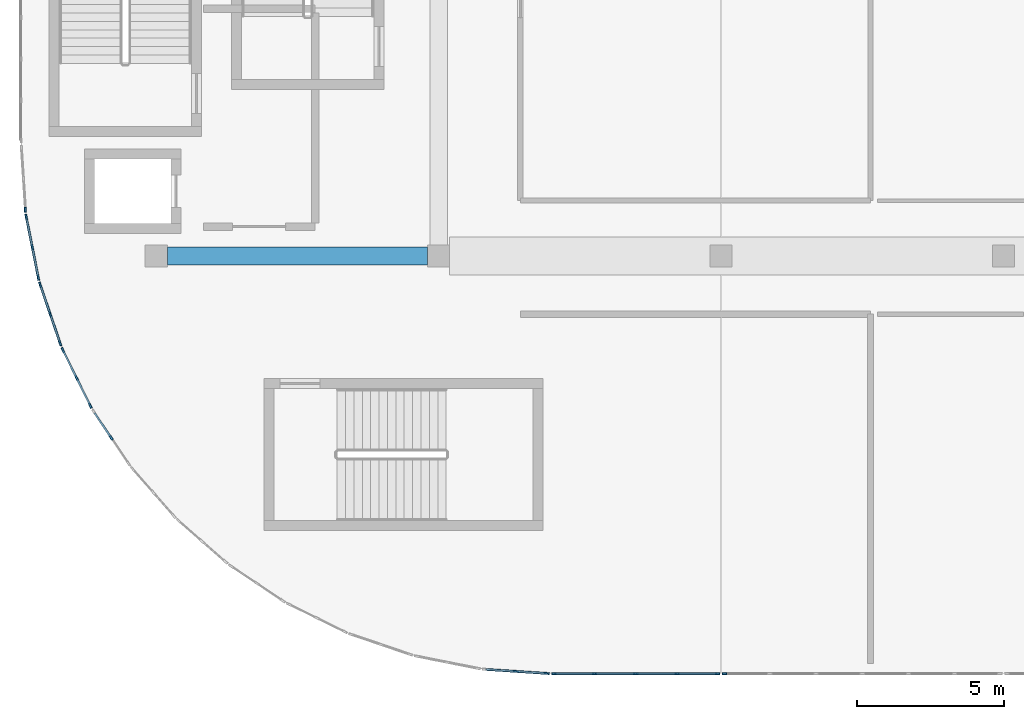
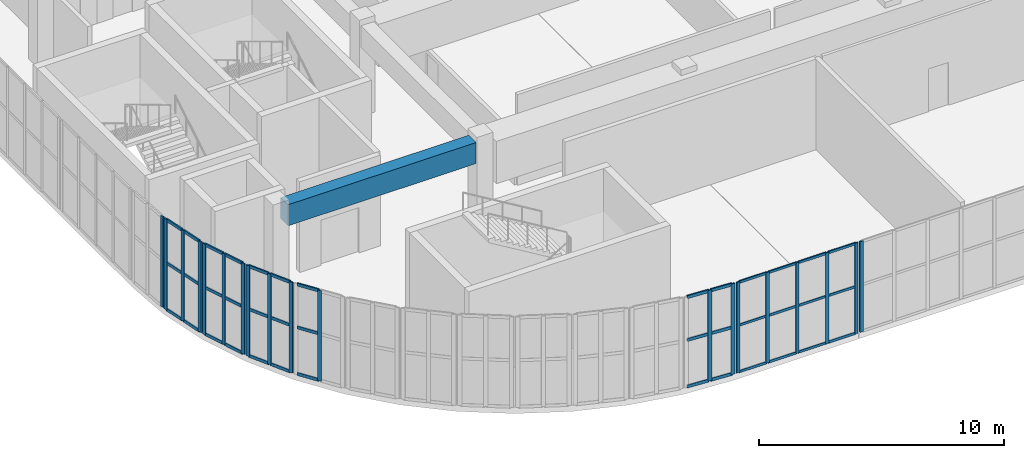
# One storey, part 3 of 28: 58 members, 1 beam, 8 elements without a shape of their own.
"""IFC4 building model written with IfcOpenShell, lengths in metres."""

from ifc_helpers import new_model, si_unit, direction, frame, origin, origin_2d, place, context, subcontext, project, spatial, rectangle, extrude, material, layer, layer_set, material_profile, profile_set, type_object, element, aggregate, save


model = new_model("IFC4")

# Units and contexts
model_context = context("Model", 3, precision=1e-05, world=origin(), true_north=direction((0.0, 1.0)))
body_context = subcontext(model_context, "Body", "Model", "MODEL_VIEW")
ifc_project = project(units=[si_unit("LENGTHUNIT", "METRE"), si_unit("AREAUNIT", "SQUARE_METRE"), si_unit("VOLUMEUNIT", "CUBIC_METRE"), si_unit("PLANEANGLEUNIT", "RADIAN"), si_unit("MASSUNIT", "GRAM", prefix="KILO")], contexts=[model_context])

# Site, building, storey
site_placement = place(None, origin())
site = spatial("IfcSite", under=ifc_project, at=site_placement, CompositionType="ELEMENT")
building_placement = place(site_placement, origin())
building = spatial("IfcBuilding", under=site, at=building_placement, Name="Cendralis Terraced Arcade", CompositionType="ELEMENT")
storey_placement = place(building_placement, frame((0.0, 0.0, 24.60009765625)))
storey = spatial("IfcBuildingStorey", under=building, at=storey_placement, Name="L05", CompositionType="ELEMENT", Elevation=24.60009765625)

# Beam
ifc_material_1 = material(Name="Concrete f'c 35 MPa", Category="concrete")
ifc_material_profile_1 = material_profile(ifc_material_1, rectangle(XDim=0.60009765625, YDim=1.050048828125, at=origin_2d()), Name="RC-BM-600x1050", Category="LoadBearing")
ifc_profile_set_1 = profile_set([ifc_material_profile_1], Name="Concrete f'c 35 MPa")
beam_type = type_object("IfcBeamType", Name="BM-600x1050", PredefinedType="JOIST", material=ifc_profile_set_1)
beam_placement = place(storey_placement, frame((9.97509765625, 19.199951171875, 3.98486328125), z_axis=(1.0, 0.0, 0.0), x_axis=(0.0, 1.0, 0.0)))
element("IfcBeam", 1, at=beam_placement, inside=storey, type_object=beam_type, Name="Reinforced Concrete Frame Beam BM-X-L06-C-2_3", PredefinedType="JOIST", context=body_context, shape_type="SweptSolid", body=[
    extrude(rectangle(XDim=0.60009765625, YDim=1.050048828125, at=origin_2d()), origin(), (0.0, 0.0, 1.0), 8.849853515625),
])

# Curtain wall, members
ifc_material_2 = material(Name="Anodised aluminium EN AW-6063 T6", Category="aluminium")
ifc_layer_1 = layer(ifc_material_2, 0.179931640625, Name="CW-UNIT-A")
ifc_layer_set_1 = layer_set([ifc_layer_1], Name="Anodised aluminium EN AW-6063 T6")
curtain_wall_type_1 = type_object("IfcCurtainWallType", Name="CW-UNIT-A", PredefinedType="USERDEFINED", material=ifc_layer_set_1)
curtain_wall_1_placement = place(storey_placement, origin())
curtain_wall_1 = element("IfcCurtainWall", 2, at=curtain_wall_1_placement, inside=storey, type_object=curtain_wall_type_1, Name="Exterior Unitised Facade CW-L05-0417", ObjectType="UNITISED FACADE", PredefinedType="USERDEFINED")
ifc_material_profile_2 = material_profile(ifc_material_2, rectangle(XDim=0.06494140625, YDim=0.179931640625, at=origin_2d()), Name="ALU-MUL-65x180")
ifc_profile_set_2 = profile_set([ifc_material_profile_2], Name="Anodised aluminium EN AW-6063 T6")
member_type_1 = type_object("IfcMemberType", Name="CW-UNIT-A-MUL", PredefinedType="MULLION", material=ifc_profile_set_2)
member_1_placement = place(storey_placement, frame((22.877685546875, 5.008056640625, 0.0), z_axis=(0.0, 0.0, 1.0), x_axis=(-0.065392707503, -0.99785960626, 0.0)))
member_1 = element("IfcMember", 3, at=member_1_placement, type_object=member_type_1, Name="CW-U1 mullion 1", PredefinedType="MULLION", context=body_context, shape_type="SweptSolid", body=[
    extrude(rectangle(XDim=0.06494140625, YDim=0.179931640625, at=origin_2d()), origin(), (0.0, 0.0, 1.0), 4.510009765625),
])
member_2_placement = place(storey_placement, frame((21.8251953125, 5.076904296875, 0.0), z_axis=(0.0, 0.0, 1.0), x_axis=(-0.065392707503, -0.99785960626, 0.0)))
member_2 = element("IfcMember", 4, at=member_2_placement, type_object=member_type_1, Name="CW-U1 mullion 2", PredefinedType="MULLION", context=body_context, shape_type="SweptSolid", body=[
    extrude(rectangle(XDim=0.06494140625, YDim=0.179931640625, at=origin_2d()), origin(), (0.0, 0.0, 1.0), 4.510009765625),
])

# Curtain wall, member
curtain_wall_2_placement = place(storey_placement, origin())
curtain_wall_2 = element("IfcCurtainWall", 5, at=curtain_wall_2_placement, inside=storey, type_object=curtain_wall_type_1, Name="Exterior Unitised Facade CW-L05-0424", ObjectType="UNITISED FACADE", PredefinedType="USERDEFINED")
member_3_placement = place(storey_placement, frame((8.0654296875, 13.021240234375, 0.0), z_axis=(0.0, 0.0, 1.0), x_axis=(-0.831476791301, -0.555559488738, 0.0)))
member_3 = element("IfcMember", 6, at=member_3_placement, type_object=member_type_1, Name="CW-U1 mullion 2", PredefinedType="MULLION", context=body_context, shape_type="SweptSolid", body=[
    extrude(rectangle(XDim=0.06494140625, YDim=0.179931640625, at=origin_2d()), origin(), (0.0, 0.0, 1.0), 4.510009765625),
])

# Curtain wall, members
curtain_wall_3_placement = place(storey_placement, origin())
curtain_wall_3 = element("IfcCurtainWall", 7, at=curtain_wall_3_placement, inside=storey, type_object=curtain_wall_type_1, Name="Exterior Unitised Facade CW-L05-0425", ObjectType="UNITISED FACADE", PredefinedType="USERDEFINED")
member_4_placement = place(storey_placement, frame((7.357421875, 14.10986328125, 0.0), z_axis=(0.0, 0.0, 1.0), x_axis=(-0.896887612731, -0.442258533133, 0.0)))
member_4 = element("IfcMember", 8, at=member_4_placement, type_object=member_type_1, Name="CW-U1 mullion 1", PredefinedType="MULLION", context=body_context, shape_type="SweptSolid", body=[
    extrude(rectangle(XDim=0.06494140625, YDim=0.179931640625, at=origin_2d()), origin(), (0.0, 0.0, 1.0), 4.510009765625),
])
member_5_placement = place(storey_placement, frame((6.890869140625, 15.055908203125, 0.0), z_axis=(0.0, 0.0, 1.0), x_axis=(-0.896887612731, -0.442258533133, 0.0)))
member_5 = element("IfcMember", 9, at=member_5_placement, type_object=member_type_1, Name="CW-U1 mullion 2", PredefinedType="MULLION", context=body_context, shape_type="SweptSolid", body=[
    extrude(rectangle(XDim=0.06494140625, YDim=0.179931640625, at=origin_2d()), origin(), (0.0, 0.0, 1.0), 4.510009765625),
])
member_6_placement = place(storey_placement, frame((6.42431640625, 16.001953125, 0.0), z_axis=(0.0, 0.0, 1.0), x_axis=(-0.896887612731, -0.442258533133, 0.0)))
member_6 = element("IfcMember", 10, at=member_6_placement, type_object=member_type_1, Name="CW-U1 mullion 3", PredefinedType="MULLION", context=body_context, shape_type="SweptSolid", body=[
    extrude(rectangle(XDim=0.06494140625, YDim=0.179931640625, at=origin_2d()), origin(), (0.0, 0.0, 1.0), 4.510009765625),
])

curtain_wall_4_placement = place(storey_placement, origin())
curtain_wall_4 = element("IfcCurtainWall", 11, at=curtain_wall_4_placement, inside=storey, type_object=curtain_wall_type_1, Name="Exterior Unitised Facade CW-L05-0426", ObjectType="UNITISED FACADE", PredefinedType="USERDEFINED")
member_7_placement = place(storey_placement, frame((6.330810546875, 16.227783203125, 0.0), z_axis=(0.0, 0.0, 1.0), x_axis=(-0.946916721066, -0.321478962554, 0.0)))
member_7 = element("IfcMember", 12, at=member_7_placement, type_object=member_type_1, Name="CW-U1 mullion 1", PredefinedType="MULLION", context=body_context, shape_type="SweptSolid", body=[
    extrude(rectangle(XDim=0.06494140625, YDim=0.179931640625, at=origin_2d()), origin(), (0.0, 0.0, 1.0), 4.510009765625),
])
member_8_placement = place(storey_placement, frame((5.99169921875, 17.2265625, 0.0), z_axis=(0.0, 0.0, 1.0), x_axis=(-0.946916721066, -0.321478962554, 0.0)))
member_8 = element("IfcMember", 13, at=member_8_placement, type_object=member_type_1, Name="CW-U1 mullion 2", PredefinedType="MULLION", context=body_context, shape_type="SweptSolid", body=[
    extrude(rectangle(XDim=0.06494140625, YDim=0.179931640625, at=origin_2d()), origin(), (0.0, 0.0, 1.0), 4.510009765625),
])
member_9_placement = place(storey_placement, frame((5.652587890625, 18.225341796875, 0.0), z_axis=(0.0, 0.0, 1.0), x_axis=(-0.946916721066, -0.321478962554, 0.0)))
member_9 = element("IfcMember", 14, at=member_9_placement, type_object=member_type_1, Name="CW-U1 mullion 3", PredefinedType="MULLION", context=body_context, shape_type="SweptSolid", body=[
    extrude(rectangle(XDim=0.06494140625, YDim=0.179931640625, at=origin_2d()), origin(), (0.0, 0.0, 1.0), 4.510009765625),
])

curtain_wall_5_placement = place(storey_placement, origin())
curtain_wall_5 = element("IfcCurtainWall", 15, at=curtain_wall_5_placement, inside=storey, type_object=curtain_wall_type_1, Name="Exterior Unitised Facade CW-L05-0427", ObjectType="UNITISED FACADE", PredefinedType="USERDEFINED")
member_10_placement = place(storey_placement, frame((5.58935546875, 18.46142578125, 0.0), z_axis=(0.0, 0.0, 1.0), x_axis=(-0.980794124594, -0.195045853998, 0.0)))
member_10 = element("IfcMember", 16, at=member_10_placement, type_object=member_type_1, Name="CW-U1 mullion 1", PredefinedType="MULLION", context=body_context, shape_type="SweptSolid", body=[
    extrude(rectangle(XDim=0.06494140625, YDim=0.179931640625, at=origin_2d()), origin(), (0.0, 0.0, 1.0), 4.510009765625),
])
member_11_placement = place(storey_placement, frame((5.383544921875, 19.495849609375, 0.0), z_axis=(0.0, 0.0, 1.0), x_axis=(-0.980794124594, -0.195045853998, 0.0)))
member_11 = element("IfcMember", 17, at=member_11_placement, type_object=member_type_1, Name="CW-U1 mullion 2", PredefinedType="MULLION", context=body_context, shape_type="SweptSolid", body=[
    extrude(rectangle(XDim=0.06494140625, YDim=0.179931640625, at=origin_2d()), origin(), (0.0, 0.0, 1.0), 4.510009765625),
])
member_12_placement = place(storey_placement, frame((5.177978515625, 20.5302734375, 0.0), z_axis=(0.0, 0.0, 1.0), x_axis=(-0.980794124594, -0.195045853998, 0.0)))
member_12 = element("IfcMember", 18, at=member_12_placement, type_object=member_type_1, Name="CW-U1 mullion 3", PredefinedType="MULLION", context=body_context, shape_type="SweptSolid", body=[
    extrude(rectangle(XDim=0.06494140625, YDim=0.179931640625, at=origin_2d()), origin(), (0.0, 0.0, 1.0), 4.510009765625),
])

# Curtain wall, member
curtain_wall_6_placement = place(storey_placement, origin())
curtain_wall_6 = element("IfcCurtainWall", 19, at=curtain_wall_6_placement, inside=storey, type_object=curtain_wall_type_1, Name="Exterior Unitised Facade CW-L05-0428", ObjectType="UNITISED FACADE", PredefinedType="USERDEFINED")
member_13_placement = place(storey_placement, frame((5.14599609375, 20.772705078125, 0.0), z_axis=(0.0, 0.0, 1.0), x_axis=(-0.99785960626, -0.065392707503, 0.0)))
member_13 = element("IfcMember", 20, at=member_13_placement, type_object=member_type_1, Name="CW-U1 mullion 1", PredefinedType="MULLION", context=body_context, shape_type="SweptSolid", body=[
    extrude(rectangle(XDim=0.06494140625, YDim=0.179931640625, at=origin_2d()), origin(), (0.0, 0.0, 1.0), 4.510009765625),
])
aggregate(curtain_wall_6, [member_13])

# Member
ifc_material_profile_3 = material_profile(ifc_material_2, rectangle(XDim=0.06494140625, YDim=0.14990234375, at=origin_2d()), Name="ALU-TRN-65x150")
ifc_profile_set_3 = profile_set([ifc_material_profile_3], Name="Anodised aluminium EN AW-6063 T6")
member_type_2 = type_object("IfcMemberType", Name="CW-UNIT-A-TRN", PredefinedType="USERDEFINED", material=ifc_profile_set_3)
member_14_placement = place(storey_placement, frame((22.845458984375, 5.01025390625, 0.032470703125), z_axis=(-0.997861961859, 0.065356752321, 0.0), x_axis=(-0.065356752321, -0.997861961859, 0.0)))
member_14 = element("IfcMember", 21, at=member_14_placement, type_object=member_type_2, Name="CW-U1 transom 1.1", ObjectType="TRANSOM", PredefinedType="USERDEFINED", context=body_context, shape_type="SweptSolid", body=[
    extrude(rectangle(XDim=0.06494140625, YDim=0.14990234375, at=origin_2d()), origin(), (0.0, 0.0, 1.0), 0.989990234375),
])

member_15_placement = place(storey_placement, frame((22.845458984375, 5.01025390625, 2.34521484375), z_axis=(-0.997861961859, 0.065356752321, 0.0), x_axis=(-0.065356752321, -0.997861961859, 0.0)))
member_15 = element("IfcMember", 22, at=member_15_placement, type_object=member_type_2, Name="CW-U1 transom 1.2", ObjectType="TRANSOM", PredefinedType="USERDEFINED", context=body_context, shape_type="SweptSolid", body=[
    extrude(rectangle(XDim=0.06494140625, YDim=0.14990234375, at=origin_2d()), origin(), (0.0, 0.0, 1.0), 0.989990234375),
])

member_16_placement = place(storey_placement, frame((22.845458984375, 5.01025390625, 4.477294921875), z_axis=(-0.997861961859, 0.065356752321, 0.0), x_axis=(-0.065356752321, -0.997861961859, 0.0)))
member_16 = element("IfcMember", 23, at=member_16_placement, type_object=member_type_2, Name="CW-U1 transom 1.3", ObjectType="TRANSOM", PredefinedType="USERDEFINED", context=body_context, shape_type="SweptSolid", body=[
    extrude(rectangle(XDim=0.06494140625, YDim=0.14990234375, at=origin_2d()), origin(), (0.0, 0.0, 1.0), 0.989990234375),
])

member_17_placement = place(storey_placement, frame((21.792724609375, 5.0791015625, 0.032470703125), z_axis=(-0.997860907992, 0.065372840697, 0.0), x_axis=(-0.065372840697, -0.997860907992, 0.0)))
member_17 = element("IfcMember", 24, at=member_17_placement, type_object=member_type_2, Name="CW-U1 transom 2.1", ObjectType="TRANSOM", PredefinedType="USERDEFINED", context=body_context, shape_type="SweptSolid", body=[
    extrude(rectangle(XDim=0.06494140625, YDim=0.14990234375, at=origin_2d()), origin(), (0.0, 0.0, 1.0), 0.98974609375),
])

member_18_placement = place(storey_placement, frame((21.792724609375, 5.0791015625, 2.34521484375), z_axis=(-0.997860907992, 0.065372840697, 0.0), x_axis=(-0.065372840697, -0.997860907992, 0.0)))
member_18 = element("IfcMember", 25, at=member_18_placement, type_object=member_type_2, Name="CW-U1 transom 2.2", ObjectType="TRANSOM", PredefinedType="USERDEFINED", context=body_context, shape_type="SweptSolid", body=[
    extrude(rectangle(XDim=0.06494140625, YDim=0.14990234375, at=origin_2d()), origin(), (0.0, 0.0, 1.0), 0.98974609375),
])

member_19_placement = place(storey_placement, frame((21.792724609375, 5.0791015625, 4.477294921875), z_axis=(-0.997860907992, 0.065372840697, 0.0), x_axis=(-0.065372840697, -0.997860907992, 0.0)))
member_19 = element("IfcMember", 26, at=member_19_placement, type_object=member_type_2, Name="CW-U1 transom 2.3", ObjectType="TRANSOM", PredefinedType="USERDEFINED", context=body_context, shape_type="SweptSolid", body=[
    extrude(rectangle(XDim=0.06494140625, YDim=0.14990234375, at=origin_2d()), origin(), (0.0, 0.0, 1.0), 0.98974609375),
])

aggregate(curtain_wall_1, [member_1, member_2, member_14, member_15, member_16, member_17, member_18, member_19])

member_20_placement = place(storey_placement, frame((8.047607421875, 13.048095703125, 0.032470703125), z_axis=(-0.555667387043, 0.831404687849, 0.0), x_axis=(-0.831404687849, -0.555667387043, 0.0)))
member_20 = element("IfcMember", 27, at=member_20_placement, type_object=member_type_2, Name="CW-U1 transom 2.1", ObjectType="TRANSOM", PredefinedType="USERDEFINED", context=body_context, shape_type="SweptSolid", body=[
    extrude(rectangle(XDim=0.06494140625, YDim=0.14990234375, at=origin_2d()), origin(), (0.0, 0.0, 1.0), 0.989990234375),
])

member_21_placement = place(storey_placement, frame((8.047607421875, 13.048095703125, 2.34521484375), z_axis=(-0.555667387043, 0.831404687849, 0.0), x_axis=(-0.831404687849, -0.555667387043, 0.0)))
member_21 = element("IfcMember", 28, at=member_21_placement, type_object=member_type_2, Name="CW-U1 transom 2.2", ObjectType="TRANSOM", PredefinedType="USERDEFINED", context=body_context, shape_type="SweptSolid", body=[
    extrude(rectangle(XDim=0.06494140625, YDim=0.14990234375, at=origin_2d()), origin(), (0.0, 0.0, 1.0), 0.989990234375),
])

member_22_placement = place(storey_placement, frame((8.047607421875, 13.048095703125, 4.477294921875), z_axis=(-0.555667387043, 0.831404687849, 0.0), x_axis=(-0.831404687849, -0.555667387043, 0.0)))
member_22 = element("IfcMember", 29, at=member_22_placement, type_object=member_type_2, Name="CW-U1 transom 2.3", ObjectType="TRANSOM", PredefinedType="USERDEFINED", context=body_context, shape_type="SweptSolid", body=[
    extrude(rectangle(XDim=0.06494140625, YDim=0.14990234375, at=origin_2d()), origin(), (0.0, 0.0, 1.0), 0.989990234375),
])

aggregate(curtain_wall_2, [member_3, member_20, member_21, member_22])

member_23_placement = place(storey_placement, frame((7.343017578125, 14.138916015625, 0.032470703125), z_axis=(-0.442273458104, 0.89688025302, 0.0), x_axis=(-0.89688025302, -0.442273458104, 0.0)))
member_23 = element("IfcMember", 30, at=member_23_placement, type_object=member_type_2, Name="CW-U1 transom 1.1", ObjectType="TRANSOM", PredefinedType="USERDEFINED", context=body_context, shape_type="SweptSolid", body=[
    extrude(rectangle(XDim=0.06494140625, YDim=0.14990234375, at=origin_2d()), origin(), (0.0, 0.0, 1.0), 0.98974609375),
])

member_24_placement = place(storey_placement, frame((7.343017578125, 14.138916015625, 2.34521484375), z_axis=(-0.442273458104, 0.89688025302, 0.0), x_axis=(-0.89688025302, -0.442273458104, 0.0)))
member_24 = element("IfcMember", 31, at=member_24_placement, type_object=member_type_2, Name="CW-U1 transom 1.2", ObjectType="TRANSOM", PredefinedType="USERDEFINED", context=body_context, shape_type="SweptSolid", body=[
    extrude(rectangle(XDim=0.06494140625, YDim=0.14990234375, at=origin_2d()), origin(), (0.0, 0.0, 1.0), 0.98974609375),
])

member_25_placement = place(storey_placement, frame((7.343017578125, 14.138916015625, 4.477294921875), z_axis=(-0.442273458104, 0.89688025302, 0.0), x_axis=(-0.89688025302, -0.442273458104, 0.0)))
member_25 = element("IfcMember", 32, at=member_25_placement, type_object=member_type_2, Name="CW-U1 transom 1.3", ObjectType="TRANSOM", PredefinedType="USERDEFINED", context=body_context, shape_type="SweptSolid", body=[
    extrude(rectangle(XDim=0.06494140625, YDim=0.14990234375, at=origin_2d()), origin(), (0.0, 0.0, 1.0), 0.98974609375),
])

member_26_placement = place(storey_placement, frame((6.87646484375, 15.0849609375, 0.032470703125), z_axis=(-0.442273458104, 0.89688025302, 0.0), x_axis=(-0.89688025302, -0.442273458104, 0.0)))
member_26 = element("IfcMember", 33, at=member_26_placement, type_object=member_type_2, Name="CW-U1 transom 2.1", ObjectType="TRANSOM", PredefinedType="USERDEFINED", context=body_context, shape_type="SweptSolid", body=[
    extrude(rectangle(XDim=0.06494140625, YDim=0.14990234375, at=origin_2d()), origin(), (0.0, 0.0, 1.0), 0.98974609375),
])

member_27_placement = place(storey_placement, frame((6.87646484375, 15.0849609375, 2.34521484375), z_axis=(-0.442273458104, 0.89688025302, 0.0), x_axis=(-0.89688025302, -0.442273458104, 0.0)))
member_27 = element("IfcMember", 34, at=member_27_placement, type_object=member_type_2, Name="CW-U1 transom 2.2", ObjectType="TRANSOM", PredefinedType="USERDEFINED", context=body_context, shape_type="SweptSolid", body=[
    extrude(rectangle(XDim=0.06494140625, YDim=0.14990234375, at=origin_2d()), origin(), (0.0, 0.0, 1.0), 0.98974609375),
])

member_28_placement = place(storey_placement, frame((6.87646484375, 15.0849609375, 4.477294921875), z_axis=(-0.442273458104, 0.89688025302, 0.0), x_axis=(-0.89688025302, -0.442273458104, 0.0)))
member_28 = element("IfcMember", 35, at=member_28_placement, type_object=member_type_2, Name="CW-U1 transom 2.3", ObjectType="TRANSOM", PredefinedType="USERDEFINED", context=body_context, shape_type="SweptSolid", body=[
    extrude(rectangle(XDim=0.06494140625, YDim=0.14990234375, at=origin_2d()), origin(), (0.0, 0.0, 1.0), 0.98974609375),
])

aggregate(curtain_wall_3, [member_4, member_5, member_6, member_23, member_24, member_25, member_26, member_27, member_28])

member_29_placement = place(storey_placement, frame((6.3203125, 16.258544921875, 0.032470703125), z_axis=(-0.321402992909, 0.946942509421, 0.0), x_axis=(-0.946942509421, -0.321402992909, 0.0)))
member_29 = element("IfcMember", 36, at=member_29_placement, type_object=member_type_2, Name="CW-U1 transom 1.1", ObjectType="TRANSOM", PredefinedType="USERDEFINED", context=body_context, shape_type="SweptSolid", body=[
    extrude(rectangle(XDim=0.06494140625, YDim=0.14990234375, at=origin_2d()), origin(), (0.0, 0.0, 1.0), 0.98974609375),
])

member_30_placement = place(storey_placement, frame((6.3203125, 16.258544921875, 2.34521484375), z_axis=(-0.321402992909, 0.946942509421, 0.0), x_axis=(-0.946942509421, -0.321402992909, 0.0)))
member_30 = element("IfcMember", 37, at=member_30_placement, type_object=member_type_2, Name="CW-U1 transom 1.2", ObjectType="TRANSOM", PredefinedType="USERDEFINED", context=body_context, shape_type="SweptSolid", body=[
    extrude(rectangle(XDim=0.06494140625, YDim=0.14990234375, at=origin_2d()), origin(), (0.0, 0.0, 1.0), 0.98974609375),
])

member_31_placement = place(storey_placement, frame((6.3203125, 16.258544921875, 4.477294921875), z_axis=(-0.321402992909, 0.946942509421, 0.0), x_axis=(-0.946942509421, -0.321402992909, 0.0)))
member_31 = element("IfcMember", 38, at=member_31_placement, type_object=member_type_2, Name="CW-U1 transom 1.3", ObjectType="TRANSOM", PredefinedType="USERDEFINED", context=body_context, shape_type="SweptSolid", body=[
    extrude(rectangle(XDim=0.06494140625, YDim=0.14990234375, at=origin_2d()), origin(), (0.0, 0.0, 1.0), 0.98974609375),
])

member_32_placement = place(storey_placement, frame((5.981201171875, 17.25732421875, 0.032470703125), z_axis=(-0.321402992909, 0.946942509421, 0.0), x_axis=(-0.946942509421, -0.321402992909, 0.0)))
member_32 = element("IfcMember", 39, at=member_32_placement, type_object=member_type_2, Name="CW-U1 transom 2.1", ObjectType="TRANSOM", PredefinedType="USERDEFINED", context=body_context, shape_type="SweptSolid", body=[
    extrude(rectangle(XDim=0.06494140625, YDim=0.14990234375, at=origin_2d()), origin(), (0.0, 0.0, 1.0), 0.98974609375),
])

member_33_placement = place(storey_placement, frame((5.981201171875, 17.25732421875, 2.34521484375), z_axis=(-0.321402992909, 0.946942509421, 0.0), x_axis=(-0.946942509421, -0.321402992909, 0.0)))
member_33 = element("IfcMember", 40, at=member_33_placement, type_object=member_type_2, Name="CW-U1 transom 2.2", ObjectType="TRANSOM", PredefinedType="USERDEFINED", context=body_context, shape_type="SweptSolid", body=[
    extrude(rectangle(XDim=0.06494140625, YDim=0.14990234375, at=origin_2d()), origin(), (0.0, 0.0, 1.0), 0.98974609375),
])

member_34_placement = place(storey_placement, frame((5.981201171875, 17.25732421875, 4.477294921875), z_axis=(-0.321402992909, 0.946942509421, 0.0), x_axis=(-0.946942509421, -0.321402992909, 0.0)))
member_34 = element("IfcMember", 41, at=member_34_placement, type_object=member_type_2, Name="CW-U1 transom 2.3", ObjectType="TRANSOM", PredefinedType="USERDEFINED", context=body_context, shape_type="SweptSolid", body=[
    extrude(rectangle(XDim=0.06494140625, YDim=0.14990234375, at=origin_2d()), origin(), (0.0, 0.0, 1.0), 0.98974609375),
])

aggregate(curtain_wall_4, [member_7, member_8, member_9, member_29, member_30, member_31, member_32, member_33, member_34])

member_35_placement = place(storey_placement, frame((5.5830078125, 18.493408203125, 0.032470703125), z_axis=(-0.195119846833, 0.98077940709, 0.0), x_axis=(-0.98077940709, -0.195119846833, 0.0)))
member_35 = element("IfcMember", 42, at=member_35_placement, type_object=member_type_2, Name="CW-U1 transom 1.1", ObjectType="TRANSOM", PredefinedType="USERDEFINED", context=body_context, shape_type="SweptSolid", body=[
    extrude(rectangle(XDim=0.06494140625, YDim=0.14990234375, at=origin_2d()), origin(), (0.0, 0.0, 1.0), 0.98974609375),
])

member_36_placement = place(storey_placement, frame((5.5830078125, 18.493408203125, 2.34521484375), z_axis=(-0.195119846833, 0.98077940709, 0.0), x_axis=(-0.98077940709, -0.195119846833, 0.0)))
member_36 = element("IfcMember", 43, at=member_36_placement, type_object=member_type_2, Name="CW-U1 transom 1.2", ObjectType="TRANSOM", PredefinedType="USERDEFINED", context=body_context, shape_type="SweptSolid", body=[
    extrude(rectangle(XDim=0.06494140625, YDim=0.14990234375, at=origin_2d()), origin(), (0.0, 0.0, 1.0), 0.98974609375),
])

member_37_placement = place(storey_placement, frame((5.5830078125, 18.493408203125, 4.477294921875), z_axis=(-0.195119846833, 0.98077940709, 0.0), x_axis=(-0.98077940709, -0.195119846833, 0.0)))
member_37 = element("IfcMember", 44, at=member_37_placement, type_object=member_type_2, Name="CW-U1 transom 1.3", ObjectType="TRANSOM", PredefinedType="USERDEFINED", context=body_context, shape_type="SweptSolid", body=[
    extrude(rectangle(XDim=0.06494140625, YDim=0.14990234375, at=origin_2d()), origin(), (0.0, 0.0, 1.0), 0.98974609375),
])

member_38_placement = place(storey_placement, frame((5.377197265625, 19.52783203125, 0.032470703125), z_axis=(-0.194882546153, 0.980826586714, 0.0), x_axis=(-0.980826586714, -0.194882546153, 0.0)))
member_38 = element("IfcMember", 45, at=member_38_placement, type_object=member_type_2, Name="CW-U1 transom 2.1", ObjectType="TRANSOM", PredefinedType="USERDEFINED", context=body_context, shape_type="SweptSolid", body=[
    extrude(rectangle(XDim=0.06494140625, YDim=0.14990234375, at=origin_2d()), origin(), (0.0, 0.0, 1.0), 0.98974609375),
])

member_39_placement = place(storey_placement, frame((5.377197265625, 19.52783203125, 2.34521484375), z_axis=(-0.194882546153, 0.980826586714, 0.0), x_axis=(-0.980826586714, -0.194882546153, 0.0)))
member_39 = element("IfcMember", 46, at=member_39_placement, type_object=member_type_2, Name="CW-U1 transom 2.2", ObjectType="TRANSOM", PredefinedType="USERDEFINED", context=body_context, shape_type="SweptSolid", body=[
    extrude(rectangle(XDim=0.06494140625, YDim=0.14990234375, at=origin_2d()), origin(), (0.0, 0.0, 1.0), 0.98974609375),
])

member_40_placement = place(storey_placement, frame((5.377197265625, 19.52783203125, 4.477294921875), z_axis=(-0.194882546153, 0.980826586714, 0.0), x_axis=(-0.980826586714, -0.194882546153, 0.0)))
member_40 = element("IfcMember", 47, at=member_40_placement, type_object=member_type_2, Name="CW-U1 transom 2.3", ObjectType="TRANSOM", PredefinedType="USERDEFINED", context=body_context, shape_type="SweptSolid", body=[
    extrude(rectangle(XDim=0.06494140625, YDim=0.14990234375, at=origin_2d()), origin(), (0.0, 0.0, 1.0), 0.98974609375),
])

aggregate(curtain_wall_5, [member_10, member_11, member_12, member_35, member_36, member_37, member_38, member_39, member_40])

# Curtain wall, member
ifc_layer_2 = layer(ifc_material_2, 0.159912109375, Name="CW-UNIT-B")
ifc_layer_set_2 = layer_set([ifc_layer_2], Name="Anodised aluminium EN AW-6063 T6")
curtain_wall_type_2 = type_object("IfcCurtainWallType", Name="CW-UNIT-B", PredefinedType="USERDEFINED", material=ifc_layer_set_2)
curtain_wall_7_placement = place(storey_placement, origin())
curtain_wall_7 = element("IfcCurtainWall", 48, at=curtain_wall_7_placement, inside=storey, type_object=curtain_wall_type_2, Name="Exterior Unitised Facade CW-L05-0415", ObjectType="UNITISED FACADE", PredefinedType="USERDEFINED")
ifc_material_profile_4 = material_profile(ifc_material_2, rectangle(XDim=0.06494140625, YDim=0.159912109375, at=origin_2d()), Name="ALU-MUL-65x160")
ifc_profile_set_4 = profile_set([ifc_material_profile_4], Name="Anodised aluminium EN AW-6063 T6")
member_type_3 = type_object("IfcMemberType", Name="CW-UNIT-B-MUL", PredefinedType="MULLION", material=ifc_profile_set_4)
member_41_placement = place(storey_placement, frame((28.922607421875, 5.0, 0.0), z_axis=(0.0, 0.0, 1.0), x_axis=(0.0, -1.0, 0.0)))
member_41 = element("IfcMember", 49, at=member_41_placement, type_object=member_type_3, Name="CW-U2 mullion 7", PredefinedType="MULLION", context=body_context, shape_type="SweptSolid", body=[
    extrude(rectangle(XDim=0.06494140625, YDim=0.159912109375, at=origin_2d()), origin(), (0.0, 0.0, 1.0), 4.510009765625),
])
aggregate(curtain_wall_7, [member_41])

# Curtain wall, members
curtain_wall_8_placement = place(storey_placement, origin())
curtain_wall_8 = element("IfcCurtainWall", 50, at=curtain_wall_8_placement, inside=storey, type_object=curtain_wall_type_2, Name="Exterior Unitised Facade CW-L05-0416", ObjectType="UNITISED FACADE", PredefinedType="USERDEFINED")
member_42_placement = place(storey_placement, frame((28.677490234375, 5.0, 0.0), z_axis=(0.0, 0.0, 1.0), x_axis=(0.0, -1.0, 0.0)))
member_42 = element("IfcMember", 51, at=member_42_placement, type_object=member_type_3, Name="CW-U2 mullion 1", PredefinedType="MULLION", context=body_context, shape_type="SweptSolid", body=[
    extrude(rectangle(XDim=0.06494140625, YDim=0.159912109375, at=origin_2d()), origin(), (0.0, 0.0, 1.0), 4.510009765625),
])
member_43_placement = place(storey_placement, frame((27.304931640625, 5.0, 0.0), z_axis=(0.0, 0.0, 1.0), x_axis=(0.0, -1.0, 0.0)))
member_43 = element("IfcMember", 52, at=member_43_placement, type_object=member_type_3, Name="CW-U2 mullion 2", PredefinedType="MULLION", context=body_context, shape_type="SweptSolid", body=[
    extrude(rectangle(XDim=0.06494140625, YDim=0.159912109375, at=origin_2d()), origin(), (0.0, 0.0, 1.0), 4.510009765625),
])
member_44_placement = place(storey_placement, frame((25.89990234375, 5.0, 0.0), z_axis=(0.0, 0.0, 1.0), x_axis=(0.0, -1.0, 0.0)))
member_44 = element("IfcMember", 53, at=member_44_placement, type_object=member_type_3, Name="CW-U2 mullion 3", PredefinedType="MULLION", context=body_context, shape_type="SweptSolid", body=[
    extrude(rectangle(XDim=0.06494140625, YDim=0.159912109375, at=origin_2d()), origin(), (0.0, 0.0, 1.0), 4.510009765625),
])
member_45_placement = place(storey_placement, frame((24.4951171875, 5.0, 0.0), z_axis=(0.0, 0.0, 1.0), x_axis=(0.0, -1.0, 0.0)))
member_45 = element("IfcMember", 54, at=member_45_placement, type_object=member_type_3, Name="CW-U2 mullion 4", PredefinedType="MULLION", context=body_context, shape_type="SweptSolid", body=[
    extrude(rectangle(XDim=0.06494140625, YDim=0.159912109375, at=origin_2d()), origin(), (0.0, 0.0, 1.0), 4.510009765625),
])
member_46_placement = place(storey_placement, frame((23.12255859375, 5.0, 0.0), z_axis=(0.0, 0.0, 1.0), x_axis=(0.0, -1.0, 0.0)))
member_46 = element("IfcMember", 55, at=member_46_placement, type_object=member_type_3, Name="CW-U2 mullion 5", PredefinedType="MULLION", context=body_context, shape_type="SweptSolid", body=[
    extrude(rectangle(XDim=0.06494140625, YDim=0.159912109375, at=origin_2d()), origin(), (0.0, 0.0, 1.0), 4.510009765625),
])
ifc_material_profile_5 = material_profile(ifc_material_2, rectangle(XDim=0.06005859375, YDim=0.1201171875, at=origin_2d()), Name="ALU-TRN-60x120")
ifc_profile_set_5 = profile_set([ifc_material_profile_5], Name="Anodised aluminium EN AW-6063 T6")
member_type_4 = type_object("IfcMemberType", Name="CW-UNIT-B-TRN", PredefinedType="USERDEFINED", material=ifc_profile_set_5)
member_47_placement = place(storey_placement, frame((28.64501953125, 5.0, 0.02978515625), z_axis=(-1.0, 0.0, 0.0), x_axis=(0.0, -1.0, 0.0)))
member_47 = element("IfcMember", 56, at=member_47_placement, type_object=member_type_4, Name="CW-U2 transom 1.1", ObjectType="TRANSOM", PredefinedType="USERDEFINED", context=body_context, shape_type="SweptSolid", body=[
    extrude(rectangle(XDim=0.06005859375, YDim=0.1201171875, at=origin_2d()), origin(), (0.0, 0.0, 1.0), 1.3076171875),
])
member_48_placement = place(storey_placement, frame((28.64501953125, 5.0, 2.34521484375), z_axis=(-1.0, 0.0, 0.0), x_axis=(0.0, -1.0, 0.0)))
member_48 = element("IfcMember", 57, at=member_48_placement, type_object=member_type_4, Name="CW-U2 transom 1.2", ObjectType="TRANSOM", PredefinedType="USERDEFINED", context=body_context, shape_type="SweptSolid", body=[
    extrude(rectangle(XDim=0.06005859375, YDim=0.1201171875, at=origin_2d()), origin(), (0.0, 0.0, 1.0), 1.3076171875),
])
member_49_placement = place(storey_placement, frame((28.64501953125, 5.0, 4.47998046875), z_axis=(-1.0, 0.0, 0.0), x_axis=(0.0, -1.0, 0.0)))
member_49 = element("IfcMember", 58, at=member_49_placement, type_object=member_type_4, Name="CW-U2 transom 1.3", ObjectType="TRANSOM", PredefinedType="USERDEFINED", context=body_context, shape_type="SweptSolid", body=[
    extrude(rectangle(XDim=0.06005859375, YDim=0.1201171875, at=origin_2d()), origin(), (0.0, 0.0, 1.0), 1.3076171875),
])
member_50_placement = place(storey_placement, frame((27.2724609375, 5.0, 0.02978515625), z_axis=(-1.0, 0.0, 0.0), x_axis=(0.0, -1.0, 0.0)))
member_50 = element("IfcMember", 59, at=member_50_placement, type_object=member_type_4, Name="CW-U2 transom 2.1", ObjectType="TRANSOM", PredefinedType="USERDEFINED", context=body_context, shape_type="SweptSolid", body=[
    extrude(rectangle(XDim=0.06005859375, YDim=0.1201171875, at=origin_2d()), origin(), (0.0, 0.0, 1.0), 1.33984375),
])
member_51_placement = place(storey_placement, frame((27.2724609375, 5.0, 2.34521484375), z_axis=(-1.0, 0.0, 0.0), x_axis=(0.0, -1.0, 0.0)))
member_51 = element("IfcMember", 60, at=member_51_placement, type_object=member_type_4, Name="CW-U2 transom 2.2", ObjectType="TRANSOM", PredefinedType="USERDEFINED", context=body_context, shape_type="SweptSolid", body=[
    extrude(rectangle(XDim=0.06005859375, YDim=0.1201171875, at=origin_2d()), origin(), (0.0, 0.0, 1.0), 1.33984375),
])
member_52_placement = place(storey_placement, frame((27.2724609375, 5.0, 4.47998046875), z_axis=(-1.0, 0.0, 0.0), x_axis=(0.0, -1.0, 0.0)))
member_52 = element("IfcMember", 61, at=member_52_placement, type_object=member_type_4, Name="CW-U2 transom 2.3", ObjectType="TRANSOM", PredefinedType="USERDEFINED", context=body_context, shape_type="SweptSolid", body=[
    extrude(rectangle(XDim=0.06005859375, YDim=0.1201171875, at=origin_2d()), origin(), (0.0, 0.0, 1.0), 1.33984375),
])
member_53_placement = place(storey_placement, frame((25.867431640625, 5.0, 0.02978515625), z_axis=(-1.0, 0.0, 0.0), x_axis=(0.0, -1.0, 0.0)))
member_53 = element("IfcMember", 62, at=member_53_placement, type_object=member_type_4, Name="CW-U2 transom 3.1", ObjectType="TRANSOM", PredefinedType="USERDEFINED", context=body_context, shape_type="SweptSolid", body=[
    extrude(rectangle(XDim=0.06005859375, YDim=0.1201171875, at=origin_2d()), origin(), (0.0, 0.0, 1.0), 1.33984375),
])
member_54_placement = place(storey_placement, frame((25.867431640625, 5.0, 2.34521484375), z_axis=(-1.0, 0.0, 0.0), x_axis=(0.0, -1.0, 0.0)))
member_54 = element("IfcMember", 63, at=member_54_placement, type_object=member_type_4, Name="CW-U2 transom 3.2", ObjectType="TRANSOM", PredefinedType="USERDEFINED", context=body_context, shape_type="SweptSolid", body=[
    extrude(rectangle(XDim=0.06005859375, YDim=0.1201171875, at=origin_2d()), origin(), (0.0, 0.0, 1.0), 1.33984375),
])
member_55_placement = place(storey_placement, frame((25.867431640625, 5.0, 4.47998046875), z_axis=(-1.0, 0.0, 0.0), x_axis=(0.0, -1.0, 0.0)))
member_55 = element("IfcMember", 64, at=member_55_placement, type_object=member_type_4, Name="CW-U2 transom 3.3", ObjectType="TRANSOM", PredefinedType="USERDEFINED", context=body_context, shape_type="SweptSolid", body=[
    extrude(rectangle(XDim=0.06005859375, YDim=0.1201171875, at=origin_2d()), origin(), (0.0, 0.0, 1.0), 1.33984375),
])
member_56_placement = place(storey_placement, frame((24.46240234375, 5.0, 0.02978515625), z_axis=(-1.0, 0.0, 0.0), x_axis=(0.0, -1.0, 0.0)))
member_56 = element("IfcMember", 65, at=member_56_placement, type_object=member_type_4, Name="CW-U2 transom 4.1", ObjectType="TRANSOM", PredefinedType="USERDEFINED", context=body_context, shape_type="SweptSolid", body=[
    extrude(rectangle(XDim=0.06005859375, YDim=0.1201171875, at=origin_2d()), origin(), (0.0, 0.0, 1.0), 1.307373046875),
])
member_57_placement = place(storey_placement, frame((24.46240234375, 5.0, 2.34521484375), z_axis=(-1.0, 0.0, 0.0), x_axis=(0.0, -1.0, 0.0)))
member_57 = element("IfcMember", 66, at=member_57_placement, type_object=member_type_4, Name="CW-U2 transom 4.2", ObjectType="TRANSOM", PredefinedType="USERDEFINED", context=body_context, shape_type="SweptSolid", body=[
    extrude(rectangle(XDim=0.06005859375, YDim=0.1201171875, at=origin_2d()), origin(), (0.0, 0.0, 1.0), 1.307373046875),
])
member_58_placement = place(storey_placement, frame((24.46240234375, 5.0, 4.47998046875), z_axis=(-1.0, 0.0, 0.0), x_axis=(0.0, -1.0, 0.0)))
member_58 = element("IfcMember", 67, at=member_58_placement, type_object=member_type_4, Name="CW-U2 transom 4.3", ObjectType="TRANSOM", PredefinedType="USERDEFINED", context=body_context, shape_type="SweptSolid", body=[
    extrude(rectangle(XDim=0.06005859375, YDim=0.1201171875, at=origin_2d()), origin(), (0.0, 0.0, 1.0), 1.307373046875),
])
aggregate(curtain_wall_8, [member_42, member_43, member_44, member_45, member_46, member_47, member_48, member_49, member_50, member_51, member_52, member_53, member_54, member_55, member_56, member_57, member_58])

save(model, "model.ifc")
